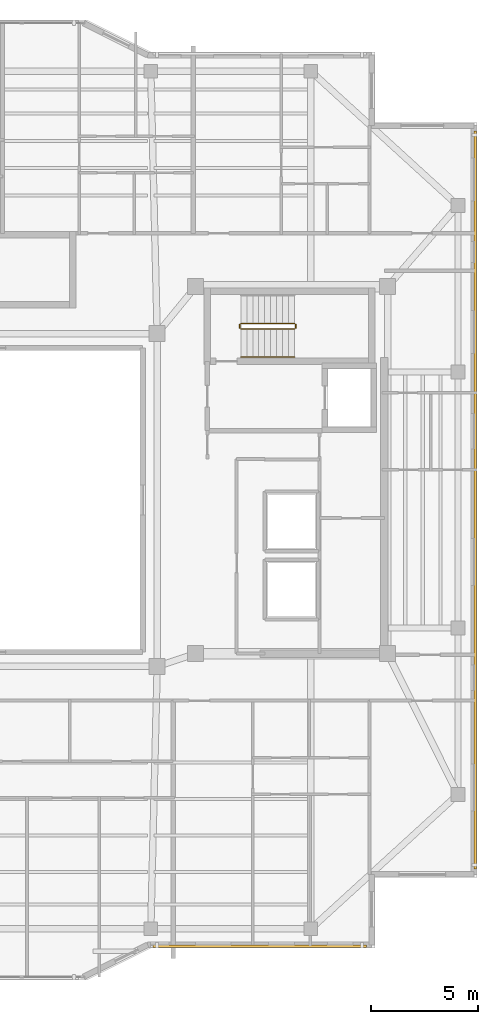
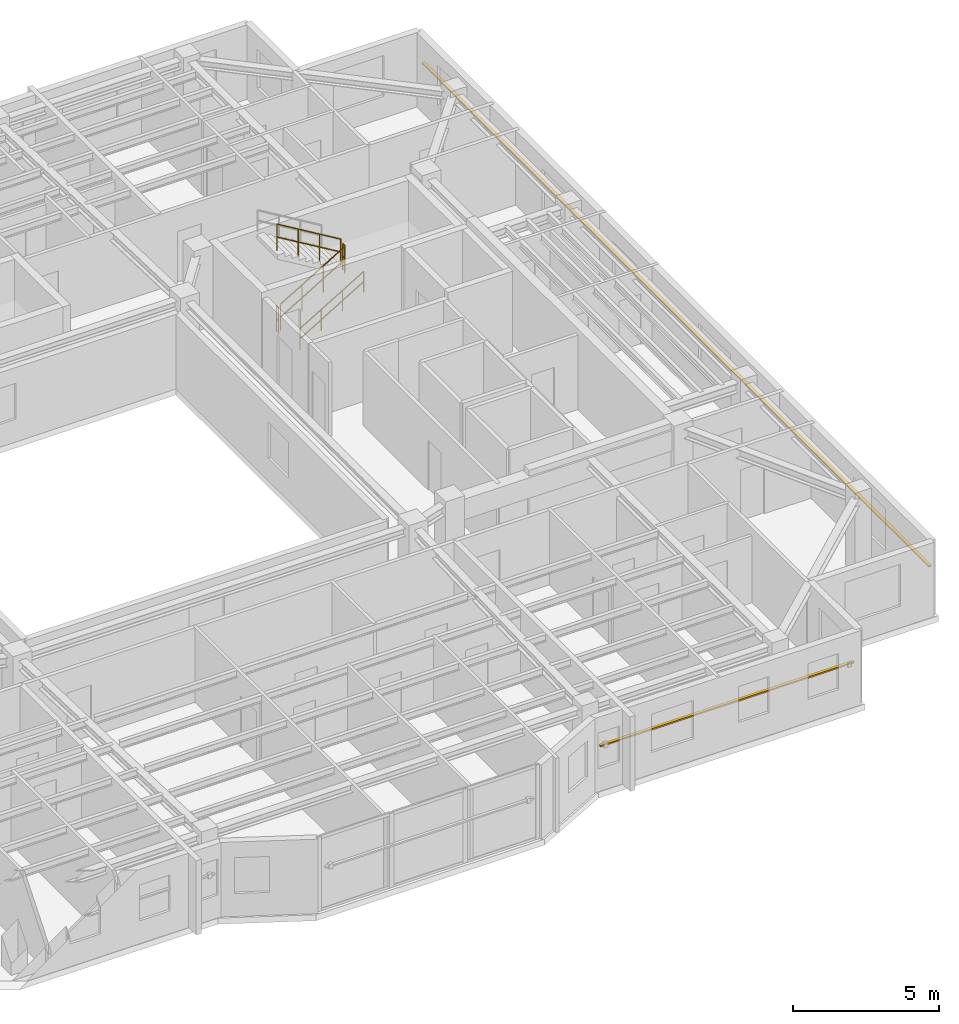
# One storey, part 14 of 15: 5 railings, 2 shading devices.
"""IFC4 building model written with IfcOpenShell, lengths in metres."""

from ifc_helpers import new_model, si_unit, direction, frame, origin, origin_2d, place, context, subcontext, project, spatial, rectangle, circle, extrude, material, material_profile, profile_set, type_object, element, save


model = new_model("IFC4")

# Units and contexts
model_context = context("Model", 3, precision=1e-05, world=origin(), true_north=direction((0.0, 1.0)))
body_context = subcontext(model_context, "Body", "Model", "MODEL_VIEW")
ifc_project = project(units=[si_unit("LENGTHUNIT", "METRE"), si_unit("AREAUNIT", "SQUARE_METRE"), si_unit("VOLUMEUNIT", "CUBIC_METRE"), si_unit("PLANEANGLEUNIT", "RADIAN"), si_unit("MASSUNIT", "GRAM", prefix="KILO")], contexts=[model_context])

# Site, building, storey
site_placement = place(None, origin())
site = spatial("IfcSite", under=ifc_project, at=site_placement, CompositionType="ELEMENT")
building_placement = place(site_placement, origin())
building = spatial("IfcBuilding", under=site, at=building_placement, Name="Tarnavaz Court Tower", CompositionType="ELEMENT")
storey_placement = place(building_placement, frame((0.0, 0.0, 241.5)))
storey = spatial("IfcBuildingStorey", under=building, at=storey_placement, Name="L65", CompositionType="ELEMENT", Elevation=241.5)

# Railings
ifc_material_1 = material(Name="Brushed Stainless Steel", Category="steel")
railing_type_1 = type_object("IfcRailingType", Name="RL-HANDRAIL-900", PredefinedType="HANDRAIL", material=ifc_material_1)
railing_1_placement = place(storey_placement, frame((11.719970703125, 6.699951171875, 0.16748046875)))
element("IfcRailing", 1, at=railing_1_placement, inside=storey, type_object=railing_type_1, Name="L65 ST-E1 stair handrail 1", PredefinedType="HANDRAIL", context=body_context, shape_type="SweptSolid", body=[
    extrude(circle(Radius=0.02392578125, at=origin_2d()), frame((0.0, 0.0, 0.8759765625), z_axis=(0.858159760407, 0.0, 0.513382728203), x_axis=(0.0, 1.0, 0.0)), (0.0, 0.0, 1.0), 2.9365234375),
    extrude(circle(Radius=0.02392578125, at=origin_2d()), frame((0.0, 0.0, 0.449951171875), z_axis=(0.858159760407, 0.0, 0.513382728203), x_axis=(0.0, 1.0, 0.0)), (0.0, 0.0, 1.0), 2.9365234375),
    extrude(circle(Radius=0.02099609375, at=origin_2d()), origin(), (0.0, 0.0, 1.0), 0.851806640625),
    extrude(circle(Radius=0.02099609375, at=origin_2d()), frame((0.840087890625, 0.0, 0.50244140625)), (0.0, 0.0, 1.0), 0.851806640625),
    extrude(circle(Radius=0.02099609375, at=origin_2d()), frame((1.679931640625, 0.0, 1.005126953125)), (0.0, 0.0, 1.0), 0.851806640625),
    extrude(circle(Radius=0.02099609375, at=origin_2d()), frame((2.52001953125, 0.0, 1.507568359375)), (0.0, 0.0, 1.0), 0.851806640625),
])
ifc_material_2 = material(Name="Galvanized Painted Tubular Steel", Category="steel")
railing_type_2 = type_object("IfcRailingType", Name="RL-STGUARD-1120", PredefinedType="GUARDRAIL", material=ifc_material_2)
railing_2_placement = place(storey_placement, frame((11.719970703125, 8.02001953125, 0.16748046875)))
element("IfcRailing", 2, at=railing_2_placement, inside=storey, type_object=railing_type_2, Name="L65 ST-E1 stair guard 1", PredefinedType="GUARDRAIL", context=body_context, shape_type="SweptSolid", body=[
    extrude(circle(Radius=0.02392578125, at=origin_2d()), frame((0.0, 0.0, 1.09619140625), z_axis=(0.858159760407, 0.0, 0.513382728203), x_axis=(0.0, 1.0, 0.0)), (0.0, 0.0, 1.0), 2.9365234375),
    extrude(circle(Radius=0.02392578125, at=origin_2d()), frame((0.0, 0.0, 0.56005859375), z_axis=(0.858159760407, 0.0, 0.513382728203), x_axis=(0.0, 1.0, 0.0)), (0.0, 0.0, 1.0), 2.9365234375),
    extrude(circle(Radius=0.02099609375, at=origin_2d()), origin(), (0.0, 0.0, 1.0), 1.072021484375),
    extrude(circle(Radius=0.02099609375, at=origin_2d()), frame((0.840087890625, 0.0, 0.50244140625)), (0.0, 0.0, 1.0), 1.072021484375),
    extrude(circle(Radius=0.02099609375, at=origin_2d()), frame((1.679931640625, 0.0, 1.005126953125)), (0.0, 0.0, 1.0), 1.072021484375),
    extrude(circle(Radius=0.02099609375, at=origin_2d()), frame((2.52001953125, 0.0, 1.507568359375)), (0.0, 0.0, 1.0), 1.072021484375),
])
railing_3_placement = place(storey_placement, frame((14.2900390625, 8.070068359375, 1.675048828125)))
element("IfcRailing", 3, at=railing_3_placement, inside=storey, type_object=railing_type_2, Name="L65 ST-E1 stair guard 2", PredefinedType="GUARDRAIL", context=body_context, shape_type="SweptSolid", body=[
    extrude(circle(Radius=0.02392578125, at=origin_2d()), frame((0.0, 0.0, 1.09619140625), z_axis=(0.0, 1.0, 0.0), x_axis=(-1.0, 0.0, 0.0)), (0.0, 0.0, 1.0), 0.14990234375),
    extrude(circle(Radius=0.02392578125, at=origin_2d()), frame((0.0, 0.0, 0.56005859375), z_axis=(0.0, 1.0, 0.0), x_axis=(-1.0, 0.0, 0.0)), (0.0, 0.0, 1.0), 0.14990234375),
    extrude(circle(Radius=0.02099609375, at=origin_2d()), origin(), (0.0, 0.0, 1.0), 1.072021484375),
    extrude(circle(Radius=0.02099609375, at=origin_2d()), frame((0.0, 0.14990234375, 0.0)), (0.0, 0.0, 1.0), 1.072021484375),
])
railing_4_placement = place(storey_placement, frame((14.239990234375, 8.27001953125, 1.842529296875)))
element("IfcRailing", 4, at=railing_4_placement, inside=storey, type_object=railing_type_2, Name="L65 ST-E1 stair guard 3", PredefinedType="GUARDRAIL", context=body_context, shape_type="SweptSolid", body=[
    extrude(circle(Radius=0.02392578125, at=origin_2d()), frame((0.0, 0.0, 1.09619140625), z_axis=(-0.858159760407, 0.0, 0.513382728203), x_axis=(0.0, -1.0, 0.0)), (0.0, 0.0, 1.0), 2.9365234375),
    extrude(circle(Radius=0.02392578125, at=origin_2d()), frame((0.0, 0.0, 0.56005859375), z_axis=(-0.858159760407, 0.0, 0.513382728203), x_axis=(0.0, -1.0, 0.0)), (0.0, 0.0, 1.0), 2.9365234375),
    extrude(circle(Radius=0.02099609375, at=origin_2d()), origin(), (0.0, 0.0, 1.0), 1.072021484375),
    extrude(circle(Radius=0.02099609375, at=origin_2d()), frame((-0.840087890625, 0.0, 0.50244140625)), (0.0, 0.0, 1.0), 1.072021484375),
    extrude(circle(Radius=0.02099609375, at=origin_2d()), frame((-1.679931640625, 0.0, 1.005126953125)), (0.0, 0.0, 1.0), 1.072021484375),
    extrude(circle(Radius=0.02099609375, at=origin_2d()), frame((-2.52001953125, 0.0, 1.507568359375)), (0.0, 0.0, 1.0), 1.072021484375),
])
railing_5_placement = place(storey_placement, frame((11.669921875, 8.070068359375, 0.0)))
element("IfcRailing", 5, at=railing_5_placement, inside=storey, type_object=railing_type_2, Name="L65 ST-E1 stair guard 4", PredefinedType="GUARDRAIL", context=body_context, shape_type="SweptSolid", body=[
    extrude(circle(Radius=0.02392578125, at=origin_2d()), frame((0.0, 0.0, 1.09619140625), z_axis=(0.0, 1.0, 0.0), x_axis=(-1.0, 0.0, 0.0)), (0.0, 0.0, 1.0), 0.14990234375),
    extrude(circle(Radius=0.02392578125, at=origin_2d()), frame((0.0, 0.0, 0.56005859375), z_axis=(0.0, 1.0, 0.0), x_axis=(-1.0, 0.0, 0.0)), (0.0, 0.0, 1.0), 0.14990234375),
    extrude(circle(Radius=0.02099609375, at=origin_2d()), origin(), (0.0, 0.0, 1.0), 1.072021484375),
    extrude(circle(Radius=0.02099609375, at=origin_2d()), frame((0.0, 0.14990234375, 0.0)), (0.0, 0.0, 1.0), 1.072021484375),
])

# Shading devices
ifc_material_3 = material(Name="Kiln-Fired Khorasan Terracotta Ceramic", Category="masonry")
ifc_material_profile = material_profile(ifc_material_3, rectangle(XDim=0.1201171875, YDim=0.06005859375, at=origin_2d()), Name="TC BAGUETTE 120X60")
ifc_profile_set = profile_set([ifc_material_profile], Name="Kiln-Fired Khorasan Terracotta Ceramic")
shading_device_type = type_object("IfcShadingDeviceType", Name="SD-BAG-120", PredefinedType="USERDEFINED", material=ifc_profile_set)
shading_device_1_placement = place(storey_placement, frame((22.7099609375, 17.300048828125, 1.85009765625), z_axis=(0.0, -1.0, 0.0), x_axis=(1.0, 0.0, 0.0)))
element("IfcShadingDevice", 6, at=shading_device_1_placement, inside=storey, type_object=shading_device_type, Name="L65 Terracotta Baguette Screen FBG12", ObjectType="BAGUETTE", PredefinedType="USERDEFINED", context=body_context, shape_type="SweptSolid", body=[
    extrude(rectangle(XDim=0.1201171875, YDim=0.06005859375, at=origin_2d()), origin(), (0.0, 0.0, 1.0), 34.60009765625),
])
shading_device_2_placement = place(storey_placement, frame((17.60009765625, -20.909912109375, 1.85009765625), z_axis=(-1.0, 0.0, 0.0), x_axis=(0.0, -1.0, 0.0)))
element("IfcShadingDevice", 7, at=shading_device_2_placement, inside=storey, type_object=shading_device_type, Name="L65 Terracotta Baguette Screen FBG15", ObjectType="BAGUETTE", PredefinedType="USERDEFINED", context=body_context, shape_type="SweptSolid", body=[
    extrude(rectangle(XDim=0.1201171875, YDim=0.06005859375, at=origin_2d()), origin(), (0.0, 0.0, 1.0), 10.0),
])

save(model, "model.ifc")
